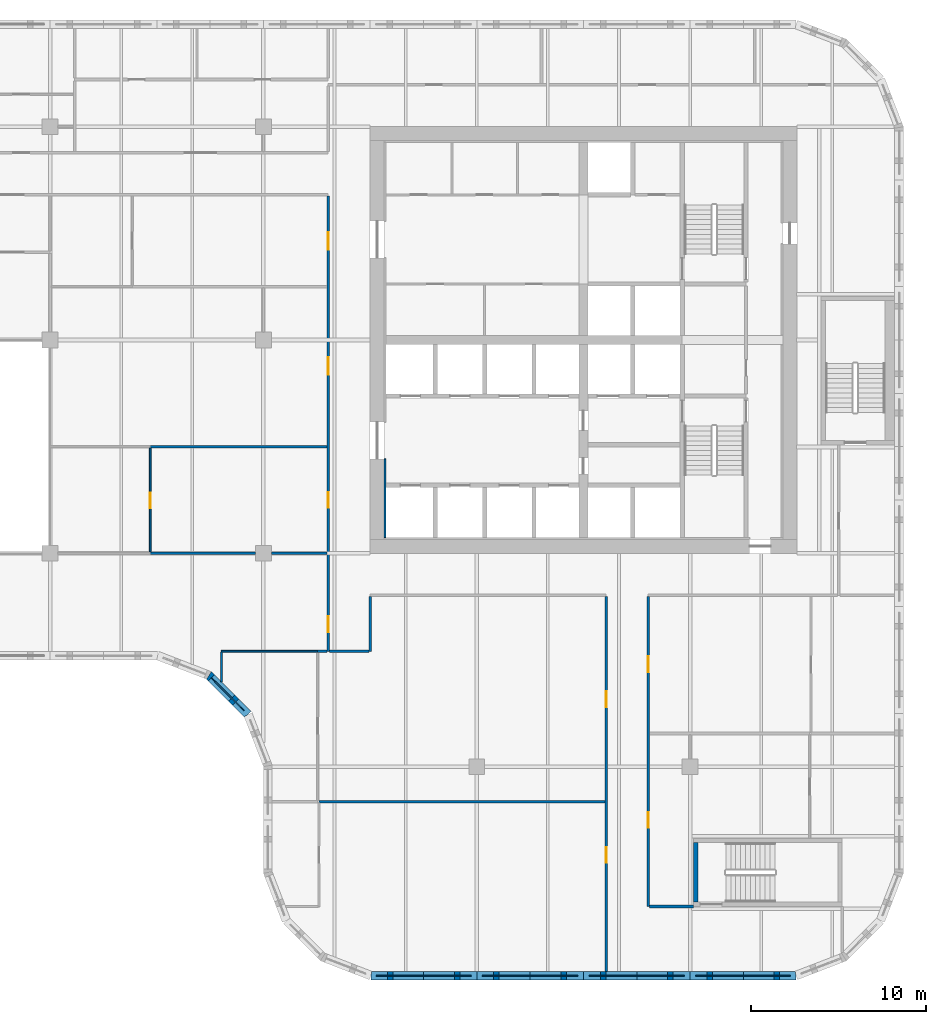
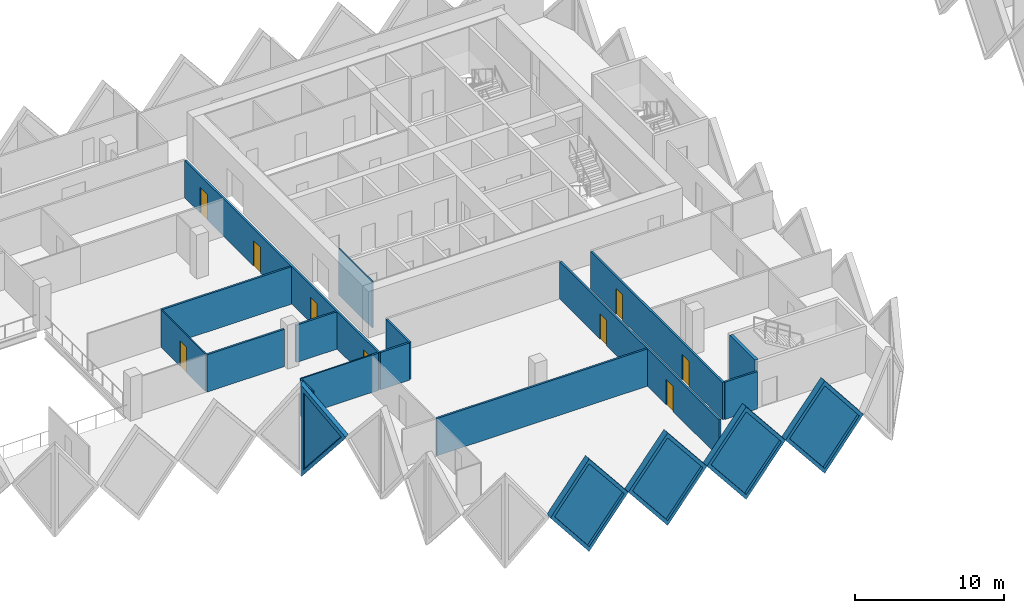
# One storey, part 5 of 19: 21 walls, 9 doors, 5 plates, 14 openings.
"""IFC4 building model written with IfcOpenShell, lengths in metres."""

from ifc_helpers import new_model, si_unit, direction, frame, frame_2d, origin, place, context, subcontext, project, spatial, polyline, rectangle, outline, extrude, faceted_brep, source, transform, mapped, material, layer, layer_set, type_object, element, fill, save


model = new_model("IFC4")

# Units and contexts
model_context = context("Model", 3, precision=1e-05, world=origin(), true_north=direction((0.0, 1.0)))
body_context = subcontext(model_context, "Body", "Model", "MODEL_VIEW")
ifc_project = project(units=[si_unit("LENGTHUNIT", "METRE"), si_unit("AREAUNIT", "SQUARE_METRE"), si_unit("VOLUMEUNIT", "CUBIC_METRE"), si_unit("PLANEANGLEUNIT", "RADIAN"), si_unit("MASSUNIT", "GRAM", prefix="KILO")], contexts=[model_context])

# Site, building, storey
site_placement = place(None, origin())
site = spatial("IfcSite", under=ifc_project, at=site_placement, CompositionType="ELEMENT")
building_placement = place(site_placement, origin())
building = spatial("IfcBuilding", under=site, at=building_placement, Name="Tessera Gate Towers", CompositionType="ELEMENT")
storey_placement = place(building_placement, frame((0.0, 0.0, 87.60009765625)))
storey = spatial("IfcBuildingStorey", under=building, at=storey_placement, Name="L21", CompositionType="ELEMENT", Elevation=87.60009765625)

# Walls
ifc_material_1 = material(Name="Concrete C40/50", Category="concrete")
ifc_layer_1 = layer(ifc_material_1, 0.25)
ifc_layer_set_1 = layer_set([ifc_layer_1], Name="CORE ENCLOSURE WALL 250")
wall_type_1 = type_object("IfcWallType", Name="CORE ENCLOSURE WALL 250", PredefinedType="SOLIDWALL", material=ifc_layer_set_1)
wall_1_placement = place(storey_placement, frame((49.125, 4.449951171875, 0.0), z_axis=(0.0, 0.0, 1.0), x_axis=(0.0, 1.0, 0.0)))
element("IfcWall", 1, at=wall_1_placement, inside=storey, type_object=wall_type_1, Name="L21 ST4 enclosure wall", PredefinedType="SOLIDWALL", context=body_context, shape_type="SweptSolid", body=[
    extrude(rectangle(XDim=3.400146484375, YDim=0.25, at=frame_2d((1.7001953125, 0.0))), origin(), (0.0, 0.0, 1.0), 3.7998046875),
])
ifc_material_2 = material(Name="Concrete C60/75", Category="concrete")
ifc_layer_2 = layer(ifc_material_2, 0.10009765625)
ifc_layer_set_2 = layer_set([ifc_layer_2], Name="CORE WALL THICKENING 100")
wall_type_2 = type_object("IfcWallType", Name="CORE WALL THICKENING 100", PredefinedType="SOLIDWALL", material=ifc_layer_set_2)
wall_2_placement = place(storey_placement, frame((31.35009765625, 25.300048828125, 0.0), z_axis=(0.0, 0.0, 1.0), x_axis=(0.0, 1.0, 0.0)))
element("IfcWall", 2, at=wall_2_placement, inside=storey, type_object=wall_type_2, Name="Core wall thickening W L21", PredefinedType="SOLIDWALL", context=body_context, shape_type="SweptSolid", body=[
    extrude(rectangle(XDim=4.5, YDim=0.10009765625, at=frame_2d((2.25, 0.0))), origin(), (0.0, 0.0, 1.0), 3.7998046875),
])

# Wall, openings, doors
ifc_material_3 = material(Name="Gypsum board on steel studs, mineral wool", Category="steel")
ifc_layer_3 = layer(ifc_material_3, 0.14990234375)
ifc_layer_set_3 = layer_set([ifc_layer_3], Name="CORRIDOR WALL 150")
wall_type_3 = type_object("IfcWallType", Name="CORRIDOR WALL 150", PredefinedType="PARTITIONING", material=ifc_layer_set_3)
wall_3_placement = place(storey_placement, frame((44.0, 0.5, 0.0), z_axis=(0.0, 0.0, 1.0), x_axis=(0.0, 1.0, 0.0)))
wall_3 = element("IfcWall", 3, at=wall_3_placement, inside=storey, type_object=wall_type_3, Name="T1-L21-PW-001", PredefinedType="PARTITIONING", context=body_context, shape_type="SweptSolid", body=[
    extrude(rectangle(XDim=21.424072265625, YDim=0.14990234375, at=frame_2d((10.7119140625, 0.0))), origin(), (0.0, 0.0, 1.0), 3.06689453125),
])
shared_shape_1 = source(origin(), body_context, "Body", "SweptSolid", [
    extrude(rectangle(XDim=0.89990234375, YDim=2.10009765625, at=frame_2d((0.449951171875, 1.050048828125))), frame((0.0, 0.0849609375, 0.0), z_axis=(0.0, -1.0, 0.0), x_axis=(1.0, 0.0, 0.0)), (0.0, 0.0, 1.0), 0.169921875),
])
opening_1_placement = place(wall_3_placement, frame((6.199951171875, 0.0, 0.0)))
opening_1 = element("IfcOpeningElement", 4, at=opening_1_placement, cuts=wall_3, Name="Opening D890FD60-A07-02", PredefinedType="OPENING", context=body_context, shape_type="MappedRepresentation", body=[
    mapped(shared_shape_1, transform((0.0, 0.0, 0.0), scale=1.0)),
])
opening_2_placement = place(wall_3_placement, frame((15.10009765625, 0.0, 0.0)))
opening_2 = element("IfcOpeningElement", 5, at=opening_2_placement, cuts=wall_3, Name="Opening D890FD60-A07-09", PredefinedType="OPENING", context=body_context, shape_type="MappedRepresentation", body=[
    mapped(shared_shape_1, transform((0.0, 0.0, 0.0), scale=1.0)),
])
ifc_material_4 = material(Name="Timber door leaf in steel frame", Category="steel")
door_type_1 = type_object("IfcDoorType", Name="CORRIDOR DOOR 900 FD60", OperationType="NOTDEFINED", PredefinedType="DOOR", material=ifc_material_4)
shared_shape_2 = source(origin(), body_context, "Body", "SweptSolid", [
    extrude(rectangle(XDim=0.89990234375, YDim=2.10009765625, at=frame_2d((0.449951171875, 1.050048828125))), frame((0.0, 0.02490234375, 0.0), z_axis=(0.0, -1.0, 0.0), x_axis=(1.0, 0.0, 0.0)), (0.0, 0.0, 1.0), 0.050048828125),
])
door_1_placement = place(opening_1_placement, origin())
door_1 = element("IfcDoor", 6, at=door_1_placement, inside=storey, type_object=door_type_1, Name="T1-L21-PD-009", OperationType="SINGLE_SWING_LEFT", OverallHeight=2.10009765625, OverallWidth=0.89990234375, PredefinedType="DOOR", context=body_context, shape_type="MappedRepresentation", body=[
    mapped(shared_shape_2, transform((0.0, 0.0, 0.0), scale=1.0)),
])
fill(opening_1, door_1)
door_2_placement = place(opening_2_placement, origin())
door_2 = element("IfcDoor", 7, at=door_2_placement, inside=storey, type_object=door_type_1, Name="T1-L21-PD-023", OperationType="SINGLE_SWING_LEFT", OverallHeight=2.10009765625, OverallWidth=0.89990234375, PredefinedType="DOOR", context=body_context, shape_type="MappedRepresentation", body=[
    mapped(shared_shape_2, transform((0.0, 0.0, 0.0), scale=1.0)),
])
fill(opening_2, door_2)

wall_4_placement = place(storey_placement, frame((46.39990234375, 21.924072265625, 0.0), z_axis=(0.0, 0.0, 1.0), x_axis=(0.0, -1.0, 0.0)))
wall_4 = element("IfcWall", 8, at=wall_4_placement, inside=storey, type_object=wall_type_3, Name="T1-L21-PW-005", PredefinedType="PARTITIONING", context=body_context, shape_type="SweptSolid", body=[
    extrude(rectangle(XDim=17.72412109375, YDim=0.14990234375, at=frame_2d((8.862060546875, 0.0))), origin(), (0.0, 0.0, 1.0), 3.06689453125),
])
opening_3_placement = place(wall_4_placement, frame((3.423095703125, 0.0, 0.0)))
opening_3 = element("IfcOpeningElement", 9, at=opening_3_placement, cuts=wall_4, Name="Opening D890FD60-A07-06", PredefinedType="OPENING", context=body_context, shape_type="MappedRepresentation", body=[
    mapped(shared_shape_1, transform((0.0, 0.0, 0.0), scale=1.0)),
])
opening_4_placement = place(wall_4_placement, frame((12.323974609375, 0.0, 0.0)))
opening_4 = element("IfcOpeningElement", 10, at=opening_4_placement, cuts=wall_4, Name="Opening D890FD60-A07-08", PredefinedType="OPENING", context=body_context, shape_type="MappedRepresentation", body=[
    mapped(shared_shape_1, transform((0.0, 0.0, 0.0), scale=1.0)),
])
door_3_placement = place(opening_3_placement, origin())
door_3 = element("IfcDoor", 11, at=door_3_placement, inside=storey, type_object=door_type_1, Name="T1-L21-PD-018", OperationType="SINGLE_SWING_RIGHT", OverallHeight=2.10009765625, OverallWidth=0.89990234375, PredefinedType="DOOR", context=body_context, shape_type="MappedRepresentation", body=[
    mapped(shared_shape_2, transform((0.0, 0.0, 0.0), scale=1.0)),
])
fill(opening_3, door_3)
door_4_placement = place(opening_4_placement, origin())
door_4 = element("IfcDoor", 12, at=door_4_placement, inside=storey, type_object=door_type_1, Name="T1-L21-PD-022", OperationType="SINGLE_SWING_RIGHT", OverallHeight=2.10009765625, OverallWidth=0.89990234375, PredefinedType="DOOR", context=body_context, shape_type="MappedRepresentation", body=[
    mapped(shared_shape_2, transform((0.0, 0.0, 0.0), scale=1.0)),
])
fill(opening_4, door_4)

# Wall
wall_5_placement = place(storey_placement, frame((46.47607421875, 4.199951171875, 0.0), z_axis=(0.0, 0.0, 1.0), x_axis=(1.0, 0.0, 0.0)))
element("IfcWall", 13, at=wall_5_placement, inside=storey, type_object=wall_type_3, Name="T1-L21-PW-006", PredefinedType="PARTITIONING", context=body_context, shape_type="SweptSolid", body=[
    extrude(rectangle(XDim=2.52392578125, YDim=0.14990234375, at=frame_2d((1.261962890625, 0.0))), origin(), (0.0, 0.0, 1.0), 3.06689453125),
])

# Wall, openings, doors
wall_6_placement = place(storey_placement, frame((28.10009765625, 18.800048828125, 0.0), z_axis=(0.0, 0.0, 1.0), x_axis=(0.0, 1.0, 0.0)))
wall_6 = element("IfcWall", 14, at=wall_6_placement, inside=storey, type_object=wall_type_3, Name="T1-L21-PW-018", PredefinedType="PARTITIONING", context=body_context, shape_type="SweptSolid", body=[
    extrude(rectangle(XDim=26.02392578125, YDim=0.14990234375, at=frame_2d((13.011962890625, 0.0))), origin(), (0.0, 0.0, 1.0), 3.06689453125),
])
opening_5_placement = place(wall_6_placement, frame((1.10009765625, 0.0, 0.0)))
opening_5 = element("IfcOpeningElement", 15, at=opening_5_placement, cuts=wall_6, Name="Opening D890FD60-A07-01", PredefinedType="OPENING", context=body_context, shape_type="MappedRepresentation", body=[
    mapped(shared_shape_1, transform((0.0, 0.0, 0.0), scale=1.0)),
])
shared_shape_3 = source(origin(), body_context, "Body", "SweptSolid", [
    extrude(rectangle(XDim=1.0, YDim=2.10009765625, at=frame_2d((0.5, 1.050048828125))), frame((0.0, 0.0849609375, 0.0), z_axis=(0.0, -1.0, 0.0), x_axis=(1.0, 0.0, 0.0)), (0.0, 0.0, 1.0), 0.169921875),
])
opening_6_placement = place(wall_6_placement, frame((22.950927734375, 0.0, 0.0)))
opening_6 = element("IfcOpeningElement", 16, at=opening_6_placement, cuts=wall_6, Name="Opening D2100FD60-A07-01", PredefinedType="OPENING", context=body_context, shape_type="MappedRepresentation", body=[
    mapped(shared_shape_3, transform((0.0, 0.0, 0.0), scale=1.0)),
])
opening_7_placement = place(wall_6_placement, frame((8.199951171875, 0.0, 0.0)))
opening_7 = element("IfcOpeningElement", 17, at=opening_7_placement, cuts=wall_6, Name="Opening D890FD60-A07-04", PredefinedType="OPENING", context=body_context, shape_type="MappedRepresentation", body=[
    mapped(shared_shape_1, transform((0.0, 0.0, 0.0), scale=1.0)),
])
opening_8_placement = place(wall_6_placement, frame((15.800048828125, 0.0, 0.0)))
opening_8 = element("IfcOpeningElement", 18, at=opening_8_placement, cuts=wall_6, Name="Opening D2100FD60-A07-02", PredefinedType="OPENING", context=body_context, shape_type="MappedRepresentation", body=[
    mapped(shared_shape_3, transform((0.0, 0.0, 0.0), scale=1.0)),
])
door_5_placement = place(opening_5_placement, origin())
door_5 = element("IfcDoor", 19, at=door_5_placement, inside=storey, type_object=door_type_1, Name="T1-L21-PD-001", OperationType="SINGLE_SWING_LEFT", OverallHeight=2.10009765625, OverallWidth=0.89990234375, PredefinedType="DOOR", context=body_context, shape_type="MappedRepresentation", body=[
    mapped(shared_shape_2, transform((0.0, 0.0, 0.0), scale=1.0)),
])
fill(opening_5, door_5)
door_6_placement = place(opening_7_placement, origin())
door_6 = element("IfcDoor", 20, at=door_6_placement, inside=storey, type_object=door_type_1, Name="T1-L21-PD-012", OperationType="SINGLE_SWING_LEFT", OverallHeight=2.10009765625, OverallWidth=0.89990234375, PredefinedType="DOOR", context=body_context, shape_type="MappedRepresentation", body=[
    mapped(shared_shape_2, transform((0.0, 0.0, 0.0), scale=1.0)),
])
fill(opening_7, door_6)
ifc_material_5 = material(Name="Timber door leaf in steel frame", Category="steel")
door_type_2 = type_object("IfcDoorType", Name="TENANCY ENTRANCE DOOR 1000 FD60", OperationType="NOTDEFINED", PredefinedType="DOOR", material=ifc_material_5)
shared_shape_4 = source(origin(), body_context, "Body", "SweptSolid", [
    extrude(rectangle(XDim=1.0, YDim=2.10009765625, at=frame_2d((0.5, 1.050048828125))), frame((0.0, 0.02490234375, 0.0), z_axis=(0.0, -1.0, 0.0), x_axis=(1.0, 0.0, 0.0)), (0.0, 0.0, 1.0), 0.050048828125),
])
door_7_placement = place(opening_6_placement, origin())
door_7 = element("IfcDoor", 21, at=door_7_placement, inside=storey, type_object=door_type_2, Name="T1-L21-PD-005", OperationType="SINGLE_SWING_LEFT", OverallHeight=2.10009765625, OverallWidth=1.0, PredefinedType="DOOR", context=body_context, shape_type="MappedRepresentation", body=[
    mapped(shared_shape_4, transform((0.0, 0.0, 0.0), scale=1.0)),
])
fill(opening_6, door_7)
door_8_placement = place(opening_8_placement, origin())
door_8 = element("IfcDoor", 22, at=door_8_placement, inside=storey, type_object=door_type_2, Name="T1-L21-PD-021", OperationType="SINGLE_SWING_LEFT", OverallHeight=2.10009765625, OverallWidth=1.0, PredefinedType="DOOR", context=body_context, shape_type="MappedRepresentation", body=[
    mapped(shared_shape_4, transform((0.0, 0.0, 0.0), scale=1.0)),
])
fill(opening_8, door_8)

# Walls
wall_7_placement = place(storey_placement, frame((28.176025390625, 18.800048828125, 0.0), z_axis=(0.0, 0.0, 1.0), x_axis=(1.0, 0.0, 0.0)))
element("IfcWall", 23, at=wall_7_placement, inside=storey, type_object=wall_type_3, Name="T1-L21-PW-019", PredefinedType="PARTITIONING", context=body_context, shape_type="SweptSolid", body=[
    extrude(rectangle(XDim=2.248046875, YDim=0.14990234375, at=frame_2d((1.1240234375, 0.0))), origin(), (0.0, 0.0, 1.0), 3.06689453125),
])
wall_8_placement = place(storey_placement, frame((30.5, 18.800048828125, 0.0), z_axis=(0.0, 0.0, 1.0), x_axis=(0.0, 1.0, 0.0)))
element("IfcWall", 24, at=wall_8_placement, inside=storey, type_object=wall_type_3, Name="T1-L21-PW-020", PredefinedType="PARTITIONING", context=body_context, shape_type="SweptSolid", body=[
    extrude(rectangle(XDim=3.1240234375, YDim=0.14990234375, at=frame_2d((1.56201171875, 0.0))), origin(), (0.0, 0.0, 1.0), 3.06689453125),
])
ifc_material_6 = material(Name="Glass", Category="glass")
ifc_layer_4 = layer(ifc_material_6, 0.10009765625)
ifc_layer_set_4 = layer_set([ifc_layer_4], Name="GLAZED PARTITION 100")
wall_type_4 = type_object("IfcWallType", Name="GLAZED PARTITION 100", PredefinedType="PARTITIONING", material=ifc_layer_set_4)
wall_9_placement = place(storey_placement, frame((22.0, 17.054931640625, 0.0), z_axis=(0.0, 0.0, 1.0), x_axis=(0.0, 1.0, 0.0)))
element("IfcWall", 25, at=wall_9_placement, inside=storey, type_object=wall_type_4, Name="T1-L21-PW-015", PredefinedType="PARTITIONING", context=body_context, shape_type="SweptSolid", body=[
    extrude(rectangle(XDim=1.694091796875, YDim=0.10009765625, at=frame_2d((0.84716796875, 0.0))), origin(), (0.0, 0.0, 1.0), 3.06689453125),
])
wall_10_placement = place(storey_placement, frame((22.0, 18.800048828125, 0.0), z_axis=(0.0, 0.0, 1.0), x_axis=(1.0, 0.0, 0.0)))
element("IfcWall", 26, at=wall_10_placement, inside=storey, type_object=wall_type_4, Name="T1-L21-PW-016", PredefinedType="PARTITIONING", context=body_context, shape_type="SweptSolid", body=[
    extrude(rectangle(XDim=5.4990234375, YDim=0.10009765625, at=frame_2d((2.74951171875, 0.0))), origin(), (0.0, 0.0, 1.0), 3.06689453125),
])

# Wall, opening, door
wall_11_placement = place(storey_placement, frame((17.925048828125, 24.47607421875, 0.0), z_axis=(0.0, 0.0, 1.0), x_axis=(0.0, 1.0, 0.0)))
wall_11 = element("IfcWall", 27, at=wall_11_placement, inside=storey, type_object=wall_type_4, Name="T1-L21-PW-029", PredefinedType="PARTITIONING", context=body_context, shape_type="SweptSolid", body=[
    extrude(rectangle(XDim=5.947998046875, YDim=0.10009765625, at=frame_2d((2.97412109375, 0.0))), origin(), (0.0, 0.0, 1.0), 3.06689453125),
])
shared_shape_5 = source(origin(), body_context, "Body", "SweptSolid", [
    extrude(rectangle(XDim=0.89990234375, YDim=2.10009765625, at=frame_2d((0.449951171875, 1.050048828125))), frame((0.0, 0.06005859375, 0.0), z_axis=(0.0, -1.0, 0.0), x_axis=(1.0, 0.0, 0.0)), (0.0, 0.0, 1.0), 0.1201171875),
])
opening_9_placement = place(wall_11_placement, frame((2.5, 0.0, 0.0)))
opening_9 = element("IfcOpeningElement", 28, at=opening_9_placement, cuts=wall_11, Name="Opening D690-A07-04", PredefinedType="OPENING", context=body_context, shape_type="MappedRepresentation", body=[
    mapped(shared_shape_5, transform((0.0, 0.0, 0.0), scale=1.0)),
])
ifc_material_7 = material(Name="Glass in aluminium frame", Category="aluminium")
door_type_3 = type_object("IfcDoorType", Name="GLAZED DOOR 900 NOT RATED", OperationType="NOTDEFINED", PredefinedType="DOOR", material=ifc_material_7)
door_9_placement = place(opening_9_placement, origin())
door_9 = element("IfcDoor", 29, at=door_9_placement, inside=storey, type_object=door_type_3, Name="T1-L21-PD-008", OperationType="SINGLE_SWING_LEFT", OverallHeight=2.10009765625, OverallWidth=0.89990234375, PredefinedType="DOOR", context=body_context, shape_type="MappedRepresentation", body=[
    mapped(shared_shape_2, transform((0.0, 0.0, 0.0), scale=1.0)),
])
fill(opening_9, door_9)

# Walls
ifc_material_8 = material(Name="Gypsum board on steel studs, mineral wool", Category="steel")
ifc_layer_5 = layer(ifc_material_8, 0.14990234375)
ifc_layer_set_5 = layer_set([ifc_layer_5], Name="TENANCY WALL 150")
wall_type_5 = type_object("IfcWallType", Name="TENANCY WALL 150", PredefinedType="PARTITIONING", material=ifc_layer_set_5)
wall_12_placement = place(storey_placement, frame((27.574951171875, 10.199951171875, 0.0), z_axis=(0.0, 0.0, 1.0), x_axis=(1.0, 0.0, 0.0)))
element("IfcWall", 30, at=wall_12_placement, inside=storey, type_object=wall_type_5, Name="T1-L21-PW-009", PredefinedType="PARTITIONING", context=body_context, shape_type="SweptSolid", body=[
    extrude(rectangle(XDim=16.34912109375, YDim=0.14990234375, at=frame_2d((8.174560546875, 0.0))), origin(), (0.0, 0.0, 1.0), 3.06689453125),
])
wall_13_placement = place(storey_placement, frame((27.5, 18.800048828125, 0.0), z_axis=(0.0, 0.0, 1.0), x_axis=(1.0, 0.0, 0.0)))
element("IfcWall", 31, at=wall_13_placement, inside=storey, type_object=wall_type_5, Name="T1-L21-PW-017", PredefinedType="PARTITIONING", context=body_context, shape_type="SweptSolid", body=[
    extrude(rectangle(XDim=0.52392578125, YDim=0.14990234375, at=frame_2d((0.261962890625, 0.0))), origin(), (0.0, 0.0, 1.0), 3.06689453125),
])
wall_14_placement = place(storey_placement, frame((17.925048828125, 24.39990234375, 0.0), z_axis=(0.0, 0.0, 1.0), x_axis=(1.0, 0.0, 0.0)))
element("IfcWall", 32, at=wall_14_placement, inside=storey, type_object=wall_type_5, Name="T1-L21-PW-027", PredefinedType="PARTITIONING", context=body_context, shape_type="SweptSolid", body=[
    extrude(rectangle(XDim=6.02392578125, YDim=0.14990234375, at=frame_2d((3.011962890625, 0.0))), origin(), (0.0, 0.0, 1.0), 3.06689453125),
])
wall_15_placement = place(storey_placement, frame((24.85107421875, 24.39990234375, 0.0), z_axis=(0.0, 0.0, 1.0), x_axis=(1.0, 0.0, 0.0)))
element("IfcWall", 33, at=wall_15_placement, inside=storey, type_object=wall_type_5, Name="T1-L21-PW-028", PredefinedType="PARTITIONING", context=body_context, shape_type="SweptSolid", body=[
    extrude(rectangle(XDim=3.1728515625, YDim=0.14990234375, at=frame_2d((1.58642578125, 0.0))), origin(), (0.0, 0.0, 1.0), 3.06689453125),
])
wall_16_placement = place(storey_placement, frame((17.925048828125, 30.5, 0.0), z_axis=(0.0, 0.0, 1.0), x_axis=(1.0, 0.0, 0.0)))
element("IfcWall", 34, at=wall_16_placement, inside=storey, type_object=wall_type_5, Name="T1-L21-PW-031", PredefinedType="PARTITIONING", context=body_context, shape_type="SweptSolid", body=[
    extrude(rectangle(XDim=10.098876953125, YDim=0.14990234375, at=frame_2d((5.04931640625, 0.0))), origin(), (0.0, 0.0, 1.0), 3.06689453125),
])

# Wall, opening, plate
ifc_material_9 = material(Name="Precast concrete C60/75 white", Category="concrete")
ifc_layer_6 = layer(ifc_material_9, 0.5)
ifc_layer_set_6 = layer_set([ifc_layer_6], Name="TS1 tessera")
wall_type_6 = type_object("IfcWallType", Name="TS1 tessera", PredefinedType="SOLIDWALL", material=ifc_layer_set_6)
shared_shape_6 = source(origin(), body_context, "Body", "Brep", [
    faceted_brep([(3.00341796875, -0.25, 0.0), (6.053466796875, -0.25, 3.800048828125), (3.00341796875, -0.25, 7.599853515625), (0.0, -0.25, 3.800048828125), (0.046630859375, 0.25, 3.85888671875), (3.00341796875, 0.25, 7.599853515625), (6.053466796875, 0.25, 3.800048828125), (3.00341796875, 0.25, 0.0), (0.046630859375, 0.25, 3.7412109375), (0.0, 0.0, 3.800048828125)], [[[0, 1, 2, 3]], [[4, 5, 6, 7, 8]], [[7, 6, 1, 0]], [[6, 5, 2, 1]], [[5, 4, 9, 3, 2]], [[8, 7, 0, 3, 9]], [[8, 9, 4]]]),
])
wall_17_placement = place(storey_placement, frame((30.546630859375, 0.25, -3.800048828125), z_axis=(0.0, 0.0, 1.0), x_axis=(1.0, 0.0, 0.0)))
wall_17 = element("IfcWall", 35, at=wall_17_placement, inside=storey, type_object=wall_type_6, Name="Precast tessera T1 TS1-0322", PredefinedType="SOLIDWALL", context=body_context, shape_type="MappedRepresentation", body=[
    mapped(shared_shape_6, transform((0.0, 0.0, 0.0), scale=1.0)),
])
shared_shape_7 = source(origin(), body_context, "Body", "SweptSolid", [
    extrude(outline(polyline([(3.0048828125, 0.401123046875), (5.73291015625, 3.800048828125), (3.0048828125, 7.19873046875), (0.318603515625, 3.800048828125), (3.0048828125, 0.401123046875)])), frame((0.0, 0.260009765625, 0.0), z_axis=(0.0, -1.0, 0.0), x_axis=(1.0, 0.0, 0.0)), (0.0, 0.0, 1.0), 0.52001953125),
])
opening_10_placement = place(wall_17_placement, origin())
opening_10 = element("IfcOpeningElement", 36, at=opening_10_placement, cuts=wall_17, Name="Opening T1-PL2-0658", PredefinedType="OPENING", context=body_context, shape_type="MappedRepresentation", body=[
    mapped(shared_shape_7, transform((0.0, 0.0, 0.0), scale=1.0)),
])
ifc_material_10 = material(Name="Low-e laminated glass", Category="glass")
ifc_layer_7 = layer(ifc_material_10, 0.06005859375)
ifc_layer_set_7 = layer_set([ifc_layer_7], Name="PL2 rhombic pane")
plate_type = type_object("IfcPlateType", Name="PL2 rhombic pane", PredefinedType="SHEET", material=ifc_layer_set_7)
shared_shape_8 = source(origin(), body_context, "Body", "SweptSolid", [
    extrude(outline(polyline([(3.0048828125, 0.401123046875), (5.73291015625, 3.800048828125), (3.0048828125, 7.19873046875), (0.318603515625, 3.800048828125), (3.0048828125, 0.401123046875)])), frame((0.0, 0.030029296875, 0.0), z_axis=(0.0, -1.0, 0.0), x_axis=(1.0, 0.0, 0.0)), (0.0, 0.0, 1.0), 0.06005859375),
])
plate_1_placement = place(opening_10_placement, origin())
plate_1 = element("IfcPlate", 37, at=plate_1_placement, inside=storey, type_object=plate_type, Name="Glass pane T1 PL2-0658", PredefinedType="SHEET", context=body_context, shape_type="MappedRepresentation", body=[
    mapped(shared_shape_8, transform((0.0, 0.0, 0.0), scale=1.0)),
])
fill(opening_10, plate_1)

shared_shape_9 = source(origin(), body_context, "Body", "Brep", [
    faceted_brep([(3.050048828125, -0.25, 0.0), (6.099853515625, -0.25, 3.7998046875), (6.099853515625, -0.25, 3.80029296875), (3.050048828125, -0.25, 7.599853515625), (0.0, -0.25, 3.800048828125), (0.0, 0.25, 3.800048828125), (3.050048828125, 0.25, 7.599853515625), (6.099853515625, 0.25, 3.80029296875), (6.099853515625, 0.25, 3.7998046875), (3.050048828125, 0.25, 0.0)], [[[0, 1, 2, 3, 4]], [[5, 6, 7, 8, 9]], [[9, 8, 1, 0]], [[7, 6, 3, 2]], [[6, 5, 4, 3]], [[5, 9, 0, 4]], [[1, 8, 7, 2]]]),
])
wall_18_placement = place(storey_placement, frame((36.60009765625, 0.25, -3.800048828125), z_axis=(0.0, 0.0, 1.0), x_axis=(1.0, 0.0, 0.0)))
wall_18 = element("IfcWall", 38, at=wall_18_placement, inside=storey, type_object=wall_type_6, Name="Precast tessera T1 TS1-0323", PredefinedType="SOLIDWALL", context=body_context, shape_type="MappedRepresentation", body=[
    mapped(shared_shape_9, transform((0.0, 0.0, 0.0), scale=1.0)),
])
shared_shape_10 = source(origin(), body_context, "Body", "SweptSolid", [
    extrude(outline(polyline([(3.050048828125, 0.3994140625), (5.779541015625, 3.800048828125), (3.050048828125, 7.200439453125), (0.320556640625, 3.800048828125), (3.050048828125, 0.3994140625)])), frame((0.0, 0.260009765625, 0.0), z_axis=(0.0, -1.0, 0.0), x_axis=(1.0, 0.0, 0.0)), (0.0, 0.0, 1.0), 0.52001953125),
])
opening_11_placement = place(wall_18_placement, origin())
opening_11 = element("IfcOpeningElement", 39, at=opening_11_placement, cuts=wall_18, Name="Opening T1-PL2-0659", PredefinedType="OPENING", context=body_context, shape_type="MappedRepresentation", body=[
    mapped(shared_shape_10, transform((0.0, 0.0, 0.0), scale=1.0)),
])
shared_shape_11 = source(origin(), body_context, "Body", "SweptSolid", [
    extrude(outline(polyline([(3.050048828125, 0.3994140625), (5.779541015625, 3.800048828125), (3.050048828125, 7.200439453125), (0.320556640625, 3.800048828125), (3.050048828125, 0.3994140625)])), frame((0.0, 0.030029296875, 0.0), z_axis=(0.0, -1.0, 0.0), x_axis=(1.0, 0.0, 0.0)), (0.0, 0.0, 1.0), 0.06005859375),
])
plate_2_placement = place(opening_11_placement, origin())
plate_2 = element("IfcPlate", 40, at=plate_2_placement, inside=storey, type_object=plate_type, Name="Glass pane T1 PL2-0659", PredefinedType="SHEET", context=body_context, shape_type="MappedRepresentation", body=[
    mapped(shared_shape_11, transform((0.0, 0.0, 0.0), scale=1.0)),
])
fill(opening_11, plate_2)

shared_shape_12 = source(origin(), body_context, "Body", "SweptSolid", [
    extrude(outline(polyline([(3.050048828125, 0.0), (6.10009765625, 3.800048828125), (3.050048828125, 7.599853515625), (0.0, 3.800048828125), (3.050048828125, 0.0)])), frame((0.0, 0.25, 0.0), z_axis=(0.0, -1.0, 0.0), x_axis=(1.0, 0.0, 0.0)), (0.0, 0.0, 1.0), 0.5),
])
wall_19_placement = place(storey_placement, frame((42.699951171875, 0.25, -3.800048828125), z_axis=(0.0, 0.0, 1.0), x_axis=(1.0, 0.0, 0.0)))
wall_19 = element("IfcWall", 41, at=wall_19_placement, inside=storey, type_object=wall_type_6, Name="Precast tessera T1 TS1-0324", PredefinedType="SOLIDWALL", context=body_context, shape_type="MappedRepresentation", body=[
    mapped(shared_shape_12, transform((0.0, 0.0, 0.0), scale=1.0)),
])
opening_12_placement = place(wall_19_placement, origin())
opening_12 = element("IfcOpeningElement", 42, at=opening_12_placement, cuts=wall_19, Name="Opening T1-PL2-0660", PredefinedType="OPENING", context=body_context, shape_type="MappedRepresentation", body=[
    mapped(shared_shape_10, transform((0.0, 0.0, 0.0), scale=1.0)),
])
plate_3_placement = place(opening_12_placement, origin())
plate_3 = element("IfcPlate", 43, at=plate_3_placement, inside=storey, type_object=plate_type, Name="Glass pane T1 PL2-0660", PredefinedType="SHEET", context=body_context, shape_type="MappedRepresentation", body=[
    mapped(shared_shape_11, transform((0.0, 0.0, 0.0), scale=1.0)),
])
fill(opening_12, plate_3)

shared_shape_13 = source(origin(), body_context, "Body", "Brep", [
    faceted_brep([(3.050048828125, -0.25, 0.0), (6.053466796875, -0.25, 3.800048828125), (3.050048828125, -0.25, 7.599853515625), (0.0, -0.25, 3.800048828125), (0.0, 0.25, 3.800048828125), (3.050048828125, 0.25, 7.599853515625), (6.0068359375, 0.25, 3.85888671875), (6.0068359375, 0.25, 3.7412109375), (3.050048828125, 0.25, 0.0), (6.053466796875, 0.0, 3.800048828125)], [[[0, 1, 2, 3]], [[4, 5, 6, 7, 8]], [[8, 7, 9, 1, 0]], [[6, 5, 2, 1, 9]], [[5, 4, 3, 2]], [[4, 8, 0, 3]], [[7, 6, 9]]]),
])
wall_20_placement = place(storey_placement, frame((48.800048828125, 0.25, -3.800048828125), z_axis=(0.0, 0.0, 1.0), x_axis=(1.0, 0.0, 0.0)))
wall_20 = element("IfcWall", 44, at=wall_20_placement, inside=storey, type_object=wall_type_6, Name="Precast tessera T1 TS1-0325", PredefinedType="SOLIDWALL", context=body_context, shape_type="MappedRepresentation", body=[
    mapped(shared_shape_13, transform((0.0, 0.0, 0.0), scale=1.0)),
])
shared_shape_14 = source(origin(), body_context, "Body", "SweptSolid", [
    extrude(outline(polyline([(3.048583984375, 0.401123046875), (5.73486328125, 3.800048828125), (3.048583984375, 7.19873046875), (0.320556640625, 3.800048828125), (3.048583984375, 0.401123046875)])), frame((0.0, 0.260009765625, 0.0), z_axis=(0.0, -1.0, 0.0), x_axis=(1.0, 0.0, 0.0)), (0.0, 0.0, 1.0), 0.52001953125),
])
opening_13_placement = place(wall_20_placement, origin())
opening_13 = element("IfcOpeningElement", 45, at=opening_13_placement, cuts=wall_20, Name="Opening T1-PL2-0661", PredefinedType="OPENING", context=body_context, shape_type="MappedRepresentation", body=[
    mapped(shared_shape_14, transform((0.0, 0.0, 0.0), scale=1.0)),
])
shared_shape_15 = source(origin(), body_context, "Body", "SweptSolid", [
    extrude(outline(polyline([(3.048583984375, 0.401123046875), (5.73486328125, 3.800048828125), (3.048583984375, 7.19873046875), (0.320556640625, 3.800048828125), (3.048583984375, 0.401123046875)])), frame((0.0, 0.030029296875, 0.0), z_axis=(0.0, -1.0, 0.0), x_axis=(1.0, 0.0, 0.0)), (0.0, 0.0, 1.0), 0.06005859375),
])
plate_4_placement = place(opening_13_placement, origin())
plate_4 = element("IfcPlate", 46, at=plate_4_placement, inside=storey, type_object=plate_type, Name="Glass pane T1 PL2-0661", PredefinedType="SHEET", context=body_context, shape_type="MappedRepresentation", body=[
    mapped(shared_shape_15, transform((0.0, 0.0, 0.0), scale=1.0)),
])
fill(opening_13, plate_4)

ifc_material_11 = material(Name="Precast concrete C60/75 white", Category="concrete")
ifc_layer_8 = layer(ifc_material_11, 0.5)
ifc_layer_set_8 = layer_set([ifc_layer_8], Name="TS3 corner tessera")
wall_type_7 = type_object("IfcWallType", Name="TS3 corner tessera", PredefinedType="SOLIDWALL", material=ifc_layer_set_8)
shared_shape_16 = source(origin(), body_context, "Body", "Brep", [
    faceted_brep([(0.10595703125, -0.25, 0.063720703125), (3.156005859375, -0.25, 3.736328125), (3.156005859375, -0.25, 3.86376953125), (0.10595703125, -0.25, 7.5361328125), (0.0, 0.25, 7.535888671875), (0.052978515625, 0.25, 7.599853515625), (3.208740234375, 0.25, 3.800048828125), (0.052978515625, 0.25, 0.0), (0.0, 0.25, 0.06396484375), (3.208740234375, -0.00048828125, 3.800048828125), (0.052978515625, 0.0, 0.0), (0.052978515625, 0.0, 7.599853515625)], [[[0, 1, 2, 3]], [[4, 5, 6, 7, 8]], [[7, 6, 9, 1, 0, 10]], [[6, 5, 11, 3, 2, 9]], [[5, 4, 11]], [[8, 7, 10]], [[8, 10, 0, 3, 11, 4]], [[1, 9, 2]]]),
])
wall_21_placement = place(storey_placement, frame((21.24755859375, 17.453857421875, -3.800048828125), z_axis=(0.0, 0.0, 1.0), x_axis=(0.707106781187, -0.707106781187, 0.0)))
wall_21 = element("IfcWall", 47, at=wall_21_placement, inside=storey, type_object=wall_type_7, Name="Precast corner tessera T1 TS3-0474", PredefinedType="SOLIDWALL", context=body_context, shape_type="MappedRepresentation", body=[
    mapped(shared_shape_16, transform((0.0, 0.0, 0.0), scale=1.0)),
])
shared_shape_17 = source(origin(), body_context, "Body", "SweptSolid", [
    extrude(outline(polyline([(0.2529296875, 0.632080078125), (2.8837890625, 3.800048828125), (0.2529296875, 6.9677734375), (0.2529296875, 0.632080078125)])), frame((0.0, 0.260009765625, 0.0), z_axis=(0.0, -1.0, 0.0), x_axis=(1.0, 0.0, 0.0)), (0.0, 0.0, 1.0), 0.52001953125),
])
opening_14_placement = place(wall_21_placement, origin())
opening_14 = element("IfcOpeningElement", 48, at=opening_14_placement, cuts=wall_21, Name="Opening T1-PL2-0698", PredefinedType="OPENING", context=body_context, shape_type="MappedRepresentation", body=[
    mapped(shared_shape_17, transform((0.0, 0.0, 0.0), scale=1.0)),
])
shared_shape_18 = source(origin(), body_context, "Body", "SweptSolid", [
    extrude(outline(polyline([(0.2529296875, 0.632080078125), (2.8837890625, 3.800048828125), (0.2529296875, 6.9677734375), (0.2529296875, 0.632080078125)])), frame((0.0, 0.030029296875, 0.0), z_axis=(0.0, -1.0, 0.0), x_axis=(1.0, 0.0, 0.0)), (0.0, 0.0, 1.0), 0.06005859375),
])
plate_5_placement = place(opening_14_placement, origin())
plate_5 = element("IfcPlate", 49, at=plate_5_placement, inside=storey, type_object=plate_type, Name="Glass pane T1 PL2-0698", PredefinedType="SHEET", context=body_context, shape_type="MappedRepresentation", body=[
    mapped(shared_shape_18, transform((0.0, 0.0, 0.0), scale=1.0)),
])
fill(opening_14, plate_5)

save(model, "model.ifc")
